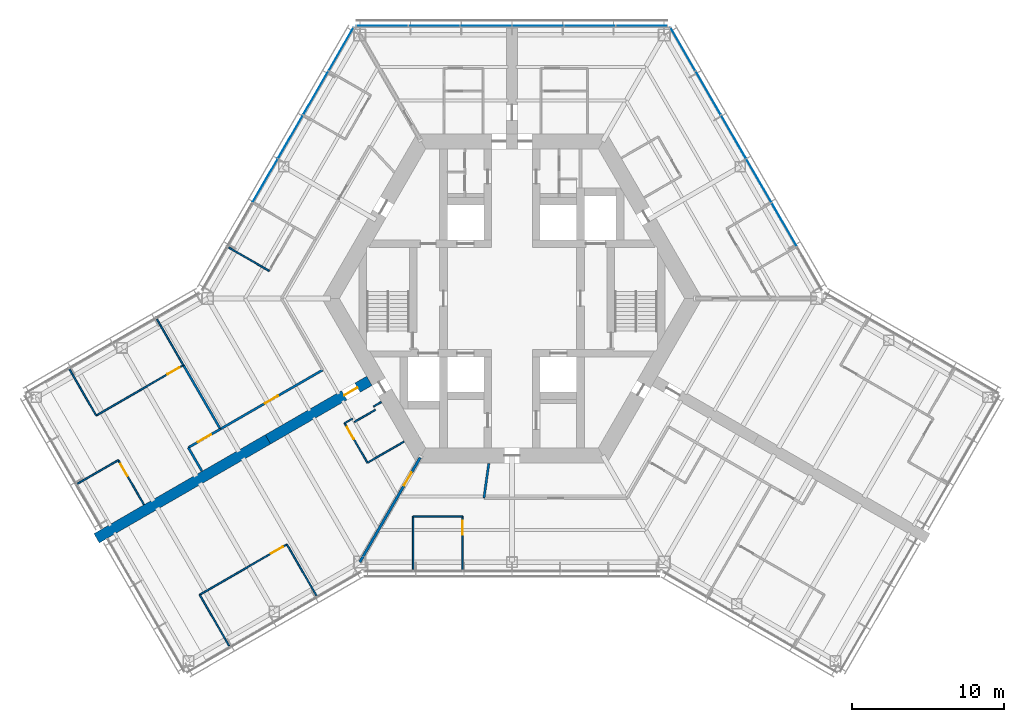
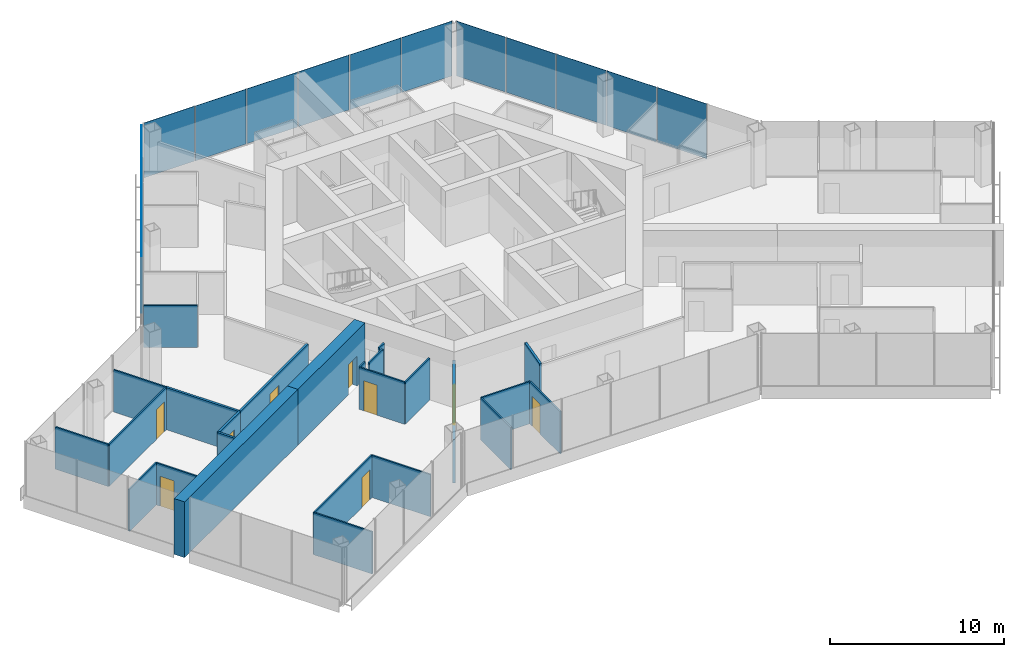
# One storey, part 11 of 18: 25 walls, 15 plates, 9 doors, 9 openings, 3 elements without a shape of their own.
"""IFC4 building model written with IfcOpenShell, lengths in metres."""

from ifc_helpers import new_model, si_unit, direction, frame, frame_2d, origin, origin_2d, place, context, subcontext, project, spatial, rectangle, extrude, material, layer, layer_set, type_object, element, fill, aggregate, save


model = new_model("IFC4")

# Units and contexts
model_context = context("Model", 3, precision=1e-05, world=origin(), true_north=direction((0.0, 1.0)))
body_context = subcontext(model_context, "Body", "Model", "MODEL_VIEW")
ifc_project = project(units=[si_unit("LENGTHUNIT", "METRE"), si_unit("AREAUNIT", "SQUARE_METRE"), si_unit("VOLUMEUNIT", "CUBIC_METRE"), si_unit("PLANEANGLEUNIT", "RADIAN"), si_unit("MASSUNIT", "GRAM", prefix="KILO")], contexts=[model_context])

# Site, building, storey
site_placement = place(None, origin())
site = spatial("IfcSite", under=ifc_project, at=site_placement, CompositionType="ELEMENT")
building_placement = place(site_placement, origin())
building = spatial("IfcBuilding", under=site, at=building_placement, Name="Kasaneha Research Tower", CompositionType="ELEMENT")
storey_placement = place(building_placement, frame((0.0, 0.0, 137.0)))
storey = spatial("IfcBuildingStorey", under=building, at=storey_placement, Name="L34", CompositionType="ELEMENT", Elevation=137.0)

# Curtain wall, plates
ifc_material_1 = material(Name="Glass and aluminium", Category="aluminium")
curtain_wall_type = type_object("IfcCurtainWallType", Name="Mid-rise office curtain wall", PredefinedType="USERDEFINED", material=ifc_material_1)
curtain_wall_1_placement = place(storey_placement, origin())
curtain_wall_1 = element("IfcCurtainWall", 1, at=curtain_wall_1_placement, inside=storey, type_object=curtain_wall_type, Name="CW-O2 L34 run 06a", ObjectType="UNITISED CURTAIN WALL", PredefinedType="USERDEFINED")
ifc_material_2 = material(Name="Laminated double glazing", Category="glass")
ifc_layer_1 = layer(ifc_material_2, 0.02587890625)
ifc_layer_set_1 = layer_set([ifc_layer_1], Name="CW-O2 glazed panel")
plate_type = type_object("IfcPlateType", Name="CW-O2 glazed panel", PredefinedType="CURTAIN_PANEL", material=ifc_layer_set_1)
plate_1_placement = place(storey_placement, frame((17.89111328125, 4.852783203125, 0.06005859375), z_axis=(0.0, 0.0, 1.0), x_axis=(-0.499999979232, 0.866025415775, 0.0)))
plate_1 = element("IfcPlate", 2, at=plate_1_placement, type_object=plate_type, Name="CW-O2 panel 2", PredefinedType="CURTAIN_PANEL", context=body_context, shape_type="SweptSolid", body=[
    extrude(rectangle(XDim=3.27099609375, YDim=0.02587890625, at=origin_2d()), origin(), (0.0, 0.0, 1.0), 3.840087890625),
])
plate_2_placement = place(storey_placement, frame((16.2255859375, 7.737548828125, 0.06005859375), z_axis=(0.0, 0.0, 1.0), x_axis=(-0.499999979232, 0.866025415775, 0.0)))
plate_2 = element("IfcPlate", 3, at=plate_2_placement, type_object=plate_type, Name="CW-O2 panel 3", PredefinedType="CURTAIN_PANEL", context=body_context, shape_type="SweptSolid", body=[
    extrude(rectangle(XDim=3.27099609375, YDim=0.02587890625, at=origin_2d()), origin(), (0.0, 0.0, 1.0), 3.840087890625),
])
plate_3_placement = place(storey_placement, frame((14.56005859375, 10.622314453125, 0.06005859375), z_axis=(0.0, 0.0, 1.0), x_axis=(-0.499999979232, 0.866025415775, 0.0)))
plate_3 = element("IfcPlate", 4, at=plate_3_placement, type_object=plate_type, Name="CW-O2 panel 4", PredefinedType="CURTAIN_PANEL", context=body_context, shape_type="SweptSolid", body=[
    extrude(rectangle(XDim=3.27099609375, YDim=0.02587890625, at=origin_2d()), origin(), (0.0, 0.0, 1.0), 3.840087890625),
])
plate_4_placement = place(storey_placement, frame((12.89453125, 13.5068359375, 0.06005859375), z_axis=(0.0, 0.0, 1.0), x_axis=(-0.499999979232, 0.866025415775, 0.0)))
plate_4 = element("IfcPlate", 5, at=plate_4_placement, type_object=plate_type, Name="CW-O2 panel 5", PredefinedType="CURTAIN_PANEL", context=body_context, shape_type="SweptSolid", body=[
    extrude(rectangle(XDim=3.27099609375, YDim=0.02587890625, at=origin_2d()), origin(), (0.0, 0.0, 1.0), 3.840087890625),
])
plate_5_placement = place(storey_placement, frame((11.236572265625, 16.378662109375, 0.06005859375), z_axis=(0.0, 0.0, 1.0), x_axis=(-0.499999979232, 0.866025415775, 0.0)))
plate_5 = element("IfcPlate", 6, at=plate_5_placement, type_object=plate_type, Name="CW-O2 panel 6", PredefinedType="CURTAIN_PANEL", context=body_context, shape_type="SweptSolid", body=[
    extrude(rectangle(XDim=3.240966796875, YDim=0.02587890625, at=origin_2d()), origin(), (0.0, 0.0, 1.0), 3.840087890625),
])
aggregate(curtain_wall_1, [plate_1, plate_2, plate_3, plate_4, plate_5])

curtain_wall_2_placement = place(storey_placement, origin())
curtain_wall_2 = element("IfcCurtainWall", 7, at=curtain_wall_2_placement, inside=storey, type_object=curtain_wall_type, Name="CW-O2 L34 run 07a", ObjectType="UNITISED CURTAIN WALL", PredefinedType="USERDEFINED")
plate_6_placement = place(storey_placement, frame((8.523681640625, 17.92041015625, 0.06005859375), z_axis=(0.0, 0.0, 1.0), x_axis=(-1.0, 0.0, 0.0)))
plate_6 = element("IfcPlate", 8, at=plate_6_placement, type_object=plate_type, Name="CW-O2 panel 1", PredefinedType="CURTAIN_PANEL", context=body_context, shape_type="SweptSolid", body=[
    extrude(rectangle(XDim=3.325439453125, YDim=0.02587890625, at=origin_2d()), origin(), (0.0, 0.0, 1.0), 3.840087890625),
])
plate_7_placement = place(storey_placement, frame((5.123291015625, 17.92041015625, 0.06005859375), z_axis=(0.0, 0.0, 1.0), x_axis=(-1.0, 0.0, 0.0)))
plate_7 = element("IfcPlate", 9, at=plate_7_placement, type_object=plate_type, Name="CW-O2 panel 2", PredefinedType="CURTAIN_PANEL", context=body_context, shape_type="SweptSolid", body=[
    extrude(rectangle(XDim=3.35546875, YDim=0.02587890625, at=origin_2d()), origin(), (0.0, 0.0, 1.0), 3.840087890625),
])
plate_8_placement = place(storey_placement, frame((1.707763671875, 17.92041015625, 0.06005859375), z_axis=(0.0, 0.0, 1.0), x_axis=(-1.0, 0.0, 0.0)))
plate_8 = element("IfcPlate", 10, at=plate_8_placement, type_object=plate_type, Name="CW-O2 panel 3", PredefinedType="CURTAIN_PANEL", context=body_context, shape_type="SweptSolid", body=[
    extrude(rectangle(XDim=3.35546875, YDim=0.02587890625, at=origin_2d()), origin(), (0.0, 0.0, 1.0), 3.840087890625),
])
plate_9_placement = place(storey_placement, frame((-1.707763671875, 17.92041015625, 0.06005859375), z_axis=(0.0, 0.0, 1.0), x_axis=(-1.0, 0.0, 0.0)))
plate_9 = element("IfcPlate", 11, at=plate_9_placement, type_object=plate_type, Name="CW-O2 panel 4", PredefinedType="CURTAIN_PANEL", context=body_context, shape_type="SweptSolid", body=[
    extrude(rectangle(XDim=3.35546875, YDim=0.02587890625, at=origin_2d()), origin(), (0.0, 0.0, 1.0), 3.840087890625),
])
plate_10_placement = place(storey_placement, frame((-5.123291015625, 17.92041015625, 0.06005859375), z_axis=(0.0, 0.0, 1.0), x_axis=(-1.0, 0.0, 0.0)))
plate_10 = element("IfcPlate", 12, at=plate_10_placement, type_object=plate_type, Name="CW-O2 panel 5", PredefinedType="CURTAIN_PANEL", context=body_context, shape_type="SweptSolid", body=[
    extrude(rectangle(XDim=3.35546875, YDim=0.02587890625, at=origin_2d()), origin(), (0.0, 0.0, 1.0), 3.840087890625),
])
plate_11_placement = place(storey_placement, frame((-8.523681640625, 17.92041015625, 0.06005859375), z_axis=(0.0, 0.0, 1.0), x_axis=(-1.0, 0.0, 0.0)))
plate_11 = element("IfcPlate", 13, at=plate_11_placement, type_object=plate_type, Name="CW-O2 panel 6", PredefinedType="CURTAIN_PANEL", context=body_context, shape_type="SweptSolid", body=[
    extrude(rectangle(XDim=3.325439453125, YDim=0.02587890625, at=origin_2d()), origin(), (0.0, 0.0, 1.0), 3.840087890625),
])
aggregate(curtain_wall_2, [plate_6, plate_7, plate_8, plate_9, plate_10, plate_11])

curtain_wall_3_placement = place(storey_placement, origin())
curtain_wall_3 = element("IfcCurtainWall", 14, at=curtain_wall_3_placement, inside=storey, type_object=curtain_wall_type, Name="CW-O2 L34 run 08a", ObjectType="UNITISED CURTAIN WALL", PredefinedType="USERDEFINED")
plate_12_placement = place(storey_placement, frame((-11.236572265625, 16.378662109375, 0.06005859375), z_axis=(0.0, 0.0, 1.0), x_axis=(-0.499999979232, -0.866025415775, 0.0)))
plate_12 = element("IfcPlate", 15, at=plate_12_placement, type_object=plate_type, Name="CW-O2 panel 1", PredefinedType="CURTAIN_PANEL", context=body_context, shape_type="SweptSolid", body=[
    extrude(rectangle(XDim=3.240966796875, YDim=0.02587890625, at=origin_2d()), origin(), (0.0, 0.0, 1.0), 3.840087890625),
])
plate_13_placement = place(storey_placement, frame((-12.89453125, 13.5068359375, 0.06005859375), z_axis=(0.0, 0.0, 1.0), x_axis=(-0.499999979232, -0.866025415775, 0.0)))
plate_13 = element("IfcPlate", 16, at=plate_13_placement, type_object=plate_type, Name="CW-O2 panel 2", PredefinedType="CURTAIN_PANEL", context=body_context, shape_type="SweptSolid", body=[
    extrude(rectangle(XDim=3.27099609375, YDim=0.02587890625, at=origin_2d()), origin(), (0.0, 0.0, 1.0), 3.840087890625),
])
plate_14_placement = place(storey_placement, frame((-14.56005859375, 10.622314453125, 0.06005859375), z_axis=(0.0, 0.0, 1.0), x_axis=(-0.499999979232, -0.866025415775, 0.0)))
plate_14 = element("IfcPlate", 17, at=plate_14_placement, type_object=plate_type, Name="CW-O2 panel 3", PredefinedType="CURTAIN_PANEL", context=body_context, shape_type="SweptSolid", body=[
    extrude(rectangle(XDim=3.27099609375, YDim=0.02587890625, at=origin_2d()), origin(), (0.0, 0.0, 1.0), 3.840087890625),
])
plate_15_placement = place(storey_placement, frame((-16.2255859375, 7.737548828125, 0.06005859375), z_axis=(0.0, 0.0, 1.0), x_axis=(-0.499999979232, -0.866025415775, 0.0)))
plate_15 = element("IfcPlate", 18, at=plate_15_placement, type_object=plate_type, Name="CW-O2 panel 4", PredefinedType="CURTAIN_PANEL", context=body_context, shape_type="SweptSolid", body=[
    extrude(rectangle(XDim=3.27099609375, YDim=0.02587890625, at=origin_2d()), origin(), (0.0, 0.0, 1.0), 3.840087890625),
])
aggregate(curtain_wall_3, [plate_12, plate_13, plate_14, plate_15])

# Walls
ifc_material_3 = material(Name="Gypsum board on steel studs, one layer each side", Category="steel")
ifc_layer_2 = layer(ifc_material_3, 0.10009765625)
ifc_layer_set_2 = layer_set([ifc_layer_2], Name="Office partition 100")
wall_type_1 = type_object("IfcWallType", Name="Office partition 100", PredefinedType="PARTITIONING", material=ifc_layer_set_2)
wall_1_placement = place(storey_placement, frame((-23.332275390625, -1.36962890625, 0.0), z_axis=(0.0, 0.0, 1.0), x_axis=(0.498863855434, -0.86668036423, 0.0)))
element("IfcWall", 19, at=wall_1_placement, inside=storey, type_object=wall_type_1, Name="Office partition FBN08 L34", PredefinedType="PARTITIONING", context=body_context, shape_type="SweptSolid", body=[
    extrude(rectangle(XDim=3.47998046875, YDim=0.10009765625, at=frame_2d((1.739990234375, 0.0))), origin(), (0.0, 0.0, 1.0), 2.949951171875),
])
wall_2_placement = place(storey_placement, frame((-27.324951171875, -7.693115234375, 0.0), z_axis=(0.0, 0.0, 1.0), x_axis=(-0.499989765943, 0.866031312339, 0.0)))
element("IfcWall", 20, at=wall_2_placement, inside=storey, type_object=wall_type_1, Name="Office partition FBN09 L34", PredefinedType="PARTITIONING", context=body_context, shape_type="SweptSolid", body=[
    extrude(rectangle(XDim=3.5048828125, YDim=0.10009765625, at=frame_2d((1.75244140625, 0.0))), origin(), (0.0, 0.0, 1.0), 2.949951171875),
])

# Wall, opening, door
wall_3_placement = place(storey_placement, frame((-21.594482421875, -4.37939453125, 0.0), z_axis=(0.0, 0.0, 1.0), x_axis=(-0.865682888643, -0.500592784916, 0.0)))
wall_3 = element("IfcWall", 21, at=wall_3_placement, inside=storey, type_object=wall_type_1, Name="Office partition FBN10 L34", PredefinedType="PARTITIONING", context=body_context, shape_type="SweptSolid", body=[
    extrude(rectangle(XDim=6.61962890625, YDim=0.10009765625, at=frame_2d((3.309814453125, 0.0))), origin(), (0.0, 0.0, 1.0), 2.949951171875),
])
opening_1_placement = place(wall_3_placement, frame((0.300048828125, 0.0, 0.0)))
opening_1 = element("IfcOpeningElement", 22, at=opening_1_placement, cuts=wall_3, Name="Opening L34-D37", PredefinedType="OPENING", context=body_context, shape_type="SweptSolid", body=[
    extrude(rectangle(XDim=0.89990234375, YDim=2.10009765625, at=frame_2d((0.449951171875, 1.050048828125))), frame((0.0, 0.06005859375, 0.0), z_axis=(0.0, -1.0, 0.0), x_axis=(1.0, 0.0, 0.0)), (0.0, 0.0, 1.0), 0.1201171875),
])
ifc_material_4 = material(Name="Timber veneer", Category="wood")
door_type_1 = type_object("IfcDoorType", Name="Office door 900x2100", OperationType="SINGLE_SWING_LEFT", PredefinedType="DOOR", material=ifc_material_4)
door_1_placement = place(opening_1_placement, origin())
door_1 = element("IfcDoor", 23, at=door_1_placement, inside=storey, type_object=door_type_1, Name="Project room door L34-D37", OperationType="SINGLE_SWING_LEFT", OverallHeight=2.10009765625, OverallWidth=0.89990234375, PredefinedType="DOOR", context=body_context, shape_type="SweptSolid", body=[
    extrude(rectangle(XDim=0.89990234375, YDim=2.10009765625, at=frame_2d((0.449951171875, 1.050048828125))), frame((0.0, 0.02490234375, 0.0), z_axis=(0.0, -1.0, 0.0), x_axis=(1.0, 0.0, 0.0)), (0.0, 0.0, 1.0), 0.050048828125),
])
fill(opening_1, door_1)

# Walls
wall_4_placement = place(storey_placement, frame((-15.952392578125, 1.810546875, 0.0), z_axis=(0.0, 0.0, 1.0), x_axis=(-0.866029832698, 0.499992328818, 0.0)))
element("IfcWall", 24, at=wall_4_placement, inside=storey, type_object=wall_type_1, Name="Office partition FBN14 L34", PredefinedType="PARTITIONING", context=body_context, shape_type="SweptSolid", body=[
    extrude(rectangle(XDim=3.080078125, YDim=0.10009765625, at=frame_2d((1.5400390625, 0.0))), origin(), (0.0, 0.0, 1.0), 2.949951171875),
])
wall_5_placement = place(storey_placement, frame((-28.5625, -12.1796875, 0.0), z_axis=(0.0, 0.0, 1.0), x_axis=(0.866042875753, 0.499969736442, 0.0)))
element("IfcWall", 25, at=wall_5_placement, inside=storey, type_object=wall_type_1, Name="Office partition FBN17 L34", PredefinedType="PARTITIONING", context=body_context, shape_type="SweptSolid", body=[
    extrude(rectangle(XDim=3.105224609375, YDim=0.10009765625, at=frame_2d((1.552734375, 0.0))), origin(), (0.0, 0.0, 1.0), 2.949951171875),
])

# Wall, opening, door
wall_6_placement = place(storey_placement, frame((-25.873291015625, -10.627197265625, 0.0), z_axis=(0.0, 0.0, 1.0), x_axis=(0.5000115033, -0.866018762249, 0.0)))
wall_6 = element("IfcWall", 26, at=wall_6_placement, inside=storey, type_object=wall_type_1, Name="Office partition FBN18 L34", PredefinedType="PARTITIONING", context=body_context, shape_type="SweptSolid", body=[
    extrude(rectangle(XDim=3.36328125, YDim=0.10009765625, at=frame_2d((1.681640625, 0.0))), origin(), (0.0, 0.0, 1.0), 2.949951171875),
])
opening_2_placement = place(wall_6_placement, frame((0.300048828125, 0.0, 0.0)))
opening_2 = element("IfcOpeningElement", 27, at=opening_2_placement, cuts=wall_6, Name="Opening L34-D40", PredefinedType="OPENING", context=body_context, shape_type="SweptSolid", body=[
    extrude(rectangle(XDim=0.89990234375, YDim=2.10009765625, at=frame_2d((0.449951171875, 1.050048828125))), frame((0.0, 0.06005859375, 0.0), z_axis=(0.0, -1.0, 0.0), x_axis=(1.0, 0.0, 0.0)), (0.0, 0.0, 1.0), 0.1201171875),
])
door_2_placement = place(opening_2_placement, origin())
door_2 = element("IfcDoor", 28, at=door_2_placement, inside=storey, type_object=door_type_1, Name="Phone room door L34-D40", OperationType="SINGLE_SWING_LEFT", OverallHeight=2.10009765625, OverallWidth=0.89990234375, PredefinedType="DOOR", context=body_context, shape_type="SweptSolid", body=[
    extrude(rectangle(XDim=0.89990234375, YDim=2.10009765625, at=frame_2d((0.449951171875, 1.050048828125))), frame((0.0, 0.02490234375, 0.0), z_axis=(0.0, -1.0, 0.0), x_axis=(1.0, 0.0, 0.0)), (0.0, 0.0, 1.0), 0.050048828125),
])
fill(opening_2, door_2)

wall_7_placement = place(storey_placement, frame((-20.52490234375, -19.47119140625, 0.0), z_axis=(0.0, 0.0, 1.0), x_axis=(0.866021597574, 0.500006592492, 0.0)))
wall_7 = element("IfcWall", 29, at=wall_7_placement, inside=storey, type_object=wall_type_1, Name="Office partition FBS01 L34", PredefinedType="PARTITIONING", context=body_context, shape_type="SweptSolid", body=[
    extrude(rectangle(XDim=6.61962890625, YDim=0.10009765625, at=frame_2d((3.309814453125, 0.0))), origin(), (0.0, 0.0, 1.0), 2.949951171875),
])
opening_3_placement = place(wall_7_placement, frame((5.419677734375, 0.0, 0.0)))
opening_3 = element("IfcOpeningElement", 30, at=opening_3_placement, cuts=wall_7, Name="Opening L34-D41", PredefinedType="OPENING", context=body_context, shape_type="SweptSolid", body=[
    extrude(rectangle(XDim=0.89990234375, YDim=2.10009765625, at=frame_2d((0.449951171875, 1.050048828125))), frame((0.0, 0.06005859375, 0.0), z_axis=(0.0, -1.0, 0.0), x_axis=(1.0, 0.0, 0.0)), (0.0, 0.0, 1.0), 0.1201171875),
])
door_3_placement = place(opening_3_placement, origin())
door_3 = element("IfcDoor", 31, at=door_3_placement, inside=storey, type_object=door_type_1, Name="Project room door L34-D41", OperationType="SINGLE_SWING_RIGHT", OverallHeight=2.10009765625, OverallWidth=0.89990234375, PredefinedType="DOOR", context=body_context, shape_type="SweptSolid", body=[
    extrude(rectangle(XDim=0.89990234375, YDim=2.10009765625, at=frame_2d((0.449951171875, 1.050048828125))), frame((0.0, 0.02490234375, 0.0), z_axis=(0.0, -1.0, 0.0), x_axis=(1.0, 0.0, 0.0)), (0.0, 0.0, 1.0), 0.050048828125),
])
fill(opening_3, door_3)

# Walls
wall_8_placement = place(storey_placement, frame((-18.5849609375, -22.831298828125, 0.0), z_axis=(0.0, 0.0, 1.0), x_axis=(-0.499996613652, 0.866027358884, 0.0)))
element("IfcWall", 32, at=wall_8_placement, inside=storey, type_object=wall_type_1, Name="Office partition FBS02 L34", PredefinedType="PARTITIONING", context=body_context, shape_type="SweptSolid", body=[
    extrude(rectangle(XDim=3.8798828125, YDim=0.10009765625, at=frame_2d((1.93994140625, 0.0))), origin(), (0.0, 0.0, 1.0), 2.949951171875),
])
wall_9_placement = place(storey_placement, frame((-14.792236328125, -16.161376953125, 0.0), z_axis=(0.0, 0.0, 1.0), x_axis=(0.500025510799, -0.866010674617, 0.0)))
element("IfcWall", 33, at=wall_9_placement, inside=storey, type_object=wall_type_1, Name="Office partition FBS03 L34", PredefinedType="PARTITIONING", context=body_context, shape_type="SweptSolid", body=[
    extrude(rectangle(XDim=3.905029296875, YDim=0.10009765625, at=frame_2d((1.95263671875, 0.0))), origin(), (0.0, 0.0, 1.0), 2.949951171875),
])
wall_10_placement = place(storey_placement, frame((-10.99951171875, -8.197998046875, 0.0), z_axis=(0.0, 0.0, 1.0), x_axis=(0.866131372301, 0.499816412211, 0.0)))
element("IfcWall", 34, at=wall_10_placement, inside=storey, type_object=wall_type_1, Name="Office partition FBS04 L34", PredefinedType="PARTITIONING", context=body_context, shape_type="SweptSolid", body=[
    extrude(rectangle(XDim=0.599853515625, YDim=0.10009765625, at=frame_2d((0.2998046875, 0.0))), origin(), (0.0, 0.0, 1.0), 2.949951171875),
])
wall_11_placement = place(storey_placement, frame((-10.35498046875, -8.114501953125, 0.0), z_axis=(0.0, 0.0, 1.0), x_axis=(0.866094119867, 0.499880961361, 0.0)))
element("IfcWall", 35, at=wall_11_placement, inside=storey, type_object=wall_type_1, Name="Office partition FBS05 L34", PredefinedType="PARTITIONING", context=body_context, shape_type="SweptSolid", body=[
    extrude(rectangle(XDim=1.60009765625, YDim=0.10009765625, at=frame_2d((0.800048828125, 0.0))), origin(), (0.0, 0.0, 1.0), 2.949951171875),
])

# Wall, opening, door
wall_12_placement = place(storey_placement, frame((-9.49951171875, -10.796142578125, 0.0), z_axis=(0.0, 0.0, 1.0), x_axis=(-0.499990139034, 0.866031096941, 0.0)))
wall_12 = element("IfcWall", 36, at=wall_12_placement, inside=storey, type_object=wall_type_1, Name="Office partition FBS06 L34", PredefinedType="PARTITIONING", context=body_context, shape_type="SweptSolid", body=[
    extrude(rectangle(XDim=3.0, YDim=0.10009765625, at=frame_2d((1.5, 0.0))), origin(), (0.0, 0.0, 1.0), 2.949951171875),
])
opening_4_placement = place(wall_12_placement, frame((1.800048828125, 0.0, 0.0)))
opening_4 = element("IfcOpeningElement", 37, at=opening_4_placement, cuts=wall_12, Name="Opening L34-D42", PredefinedType="OPENING", context=body_context, shape_type="SweptSolid", body=[
    extrude(rectangle(XDim=0.89990234375, YDim=2.10009765625, at=frame_2d((0.449951171875, 1.050048828125))), frame((0.0, 0.06005859375, 0.0), z_axis=(0.0, -1.0, 0.0), x_axis=(1.0, 0.0, 0.0)), (0.0, 0.0, 1.0), 0.1201171875),
])
door_4_placement = place(opening_4_placement, origin())
door_4 = element("IfcDoor", 38, at=door_4_placement, inside=storey, type_object=door_type_1, Name="Pantry door L34-D42", OperationType="SINGLE_SWING_RIGHT", OverallHeight=2.10009765625, OverallWidth=0.89990234375, PredefinedType="DOOR", context=body_context, shape_type="SweptSolid", body=[
    extrude(rectangle(XDim=0.89990234375, YDim=2.10009765625, at=frame_2d((0.449951171875, 1.050048828125))), frame((0.0, 0.02490234375, 0.0), z_axis=(0.0, -1.0, 0.0), x_axis=(1.0, 0.0, 0.0)), (0.0, 0.0, 1.0), 0.050048828125),
])
fill(opening_4, door_4)

# Walls
wall_13_placement = place(storey_placement, frame((-9.09423828125, -7.09814453125, 0.0), z_axis=(0.0, 0.0, 1.0), x_axis=(0.865954211699, 0.50012328804, 0.0)))
element("IfcWall", 39, at=wall_13_placement, inside=storey, type_object=wall_type_1, Name="Office partition FBS07 L34", PredefinedType="PARTITIONING", context=body_context, shape_type="SweptSolid", body=[
    extrude(rectangle(XDim=0.579833984375, YDim=0.10009765625, at=frame_2d((0.2900390625, 0.0))), origin(), (0.0, 0.0, 1.0), 2.949951171875),
])
wall_14_placement = place(storey_placement, frame((-7.092041015625, -9.40625, 0.0), z_axis=(0.0, 0.0, 1.0), x_axis=(-0.86603494908, -0.499983466698, 0.0)))
element("IfcWall", 40, at=wall_14_placement, inside=storey, type_object=wall_type_1, Name="Office partition FBS08 L34", PredefinedType="PARTITIONING", context=body_context, shape_type="SweptSolid", body=[
    extrude(rectangle(XDim=2.77978515625, YDim=0.10009765625, at=frame_2d((1.389892578125, 0.0))), origin(), (0.0, 0.0, 1.0), 2.949951171875),
])
wall_15_placement = place(storey_placement, frame((-6.492919921875, -17.800537109375, 0.0), z_axis=(0.0, 0.0, 1.0), x_axis=(0.0, 1.0, 0.0)))
element("IfcWall", 41, at=wall_15_placement, inside=storey, type_object=wall_type_1, Name="Office partition FCS11 L34", PredefinedType="PARTITIONING", context=body_context, shape_type="SweptSolid", body=[
    extrude(rectangle(XDim=3.47998046875, YDim=0.10009765625, at=frame_2d((1.739990234375, 0.0))), origin(), (0.0, 0.0, 1.0), 2.949951171875),
])
wall_16_placement = place(storey_placement, frame((-6.492919921875, -14.320556640625, 0.0), z_axis=(0.0, 0.0, 1.0), x_axis=(1.0, 0.0, 0.0)))
element("IfcWall", 42, at=wall_16_placement, inside=storey, type_object=wall_type_1, Name="Office partition FCS12 L34", PredefinedType="PARTITIONING", context=body_context, shape_type="SweptSolid", body=[
    extrude(rectangle(XDim=3.24658203125, YDim=0.10009765625, at=frame_2d((1.623291015625, 0.0))), origin(), (0.0, 0.0, 1.0), 2.949951171875),
])

# Wall, opening, door
wall_17_placement = place(storey_placement, frame((-3.246337890625, -14.320556640625, 0.0), z_axis=(0.0, 0.0, 1.0), x_axis=(0.0, -1.0, 0.0)))
wall_17 = element("IfcWall", 43, at=wall_17_placement, inside=storey, type_object=wall_type_1, Name="Office partition FCS13 L34", PredefinedType="PARTITIONING", context=body_context, shape_type="SweptSolid", body=[
    extrude(rectangle(XDim=3.530029296875, YDim=0.10009765625, at=frame_2d((1.76513671875, 0.0))), origin(), (0.0, 0.0, 1.0), 2.949951171875),
])
opening_5_placement = place(wall_17_placement, frame((0.300048828125, 0.0, 0.0)))
opening_5 = element("IfcOpeningElement", 44, at=opening_5_placement, cuts=wall_17, Name="Opening L34-D48", PredefinedType="OPENING", context=body_context, shape_type="SweptSolid", body=[
    extrude(rectangle(XDim=0.89990234375, YDim=2.10009765625, at=frame_2d((0.449951171875, 1.050048828125))), frame((0.0, 0.06005859375, 0.0), z_axis=(0.0, -1.0, 0.0), x_axis=(1.0, 0.0, 0.0)), (0.0, 0.0, 1.0), 0.1201171875),
])
door_5_placement = place(opening_5_placement, origin())
door_5 = element("IfcDoor", 45, at=door_5_placement, inside=storey, type_object=door_type_1, Name="Manager's office door L34-D48", OperationType="SINGLE_SWING_LEFT", OverallHeight=2.10009765625, OverallWidth=0.89990234375, PredefinedType="DOOR", context=body_context, shape_type="SweptSolid", body=[
    extrude(rectangle(XDim=0.89990234375, YDim=2.10009765625, at=frame_2d((0.449951171875, 1.050048828125))), frame((0.0, 0.02490234375, 0.0), z_axis=(0.0, -1.0, 0.0), x_axis=(1.0, 0.0, 0.0)), (0.0, 0.0, 1.0), 0.050048828125),
])
fill(opening_5, door_5)

ifc_material_5 = material(Name="Concrete Fc70", Category="concrete")
ifc_layer_3 = layer(ifc_material_5, 0.699951171875)
ifc_layer_set_3 = layer_set([ifc_layer_3], Name="Spine wall 700 Fc70")
wall_type_2 = type_object("IfcWallType", Name="Spine wall 700 Fc70", PredefinedType="SHEAR", material=ifc_layer_set_3)
wall_18_placement = place(storey_placement, frame((-9.374755859375, -5.41259765625, 0.0), z_axis=(0.0, 0.0, 1.0), x_axis=(-0.866032377459, -0.499987921047, 0.0)))
wall_18 = element("IfcWall", 46, at=wall_18_placement, inside=storey, type_object=wall_type_2, Name="Spine wall B L34", PredefinedType="SHEAR", context=body_context, shape_type="SweptSolid", body=[
    extrude(rectangle(XDim=7.695556640625, YDim=0.699951171875, at=frame_2d((3.84765625, 0.0))), origin(), (0.0, 0.0, 1.0), 3.89990234375),
])
opening_6_placement = place(wall_18_placement, frame((0.89990234375, 0.0, 0.0)))
opening_6 = element("IfcOpeningElement", 47, at=opening_6_placement, cuts=wall_18, Name="Opening L34-D18", PredefinedType="OPENING", context=body_context, shape_type="SweptSolid", body=[
    extrude(rectangle(XDim=1.0, YDim=2.10009765625, at=frame_2d((0.5, 1.050048828125))), frame((0.0, 0.35986328125, 0.0), z_axis=(0.0, -1.0, 0.0), x_axis=(1.0, 0.0, 0.0)), (0.0, 0.0, 1.0), 0.719970703125),
])
ifc_material_6 = material(Name="Steel", Category="steel")
door_type_2 = type_object("IfcDoorType", Name="Specified fire door FD60 1000x2100", OperationType="NOTDEFINED", PredefinedType="DOOR", material=ifc_material_6)
door_6_placement = place(opening_6_placement, origin())
door_6 = element("IfcDoor", 48, at=door_6_placement, inside=storey, type_object=door_type_2, Name="Spine doorway B L34-D18", OperationType="SINGLE_SWING_LEFT", OverallHeight=2.10009765625, OverallWidth=1.0, PredefinedType="DOOR", context=body_context, shape_type="SweptSolid", body=[
    extrude(rectangle(XDim=1.0, YDim=2.10009765625, at=frame_2d((0.5, 1.050048828125))), frame((0.0, 0.02490234375, 0.0), z_axis=(0.0, -1.0, 0.0), x_axis=(1.0, 0.0, 0.0)), (0.0, 0.0, 1.0), 0.050048828125),
])
fill(opening_6, door_6)

# Wall
wall_19_placement = place(storey_placement, frame((-16.039306640625, -9.26025390625, 0.0), z_axis=(0.0, 0.0, 1.0), x_axis=(-0.866024837091, -0.50000098154, 0.0)))
element("IfcWall", 49, at=wall_19_placement, inside=storey, type_object=wall_type_2, Name="Spine wall B wing L34", PredefinedType="SHEAR", context=body_context, shape_type="SweptSolid", body=[
    extrude(rectangle(XDim=13.0, YDim=0.699951171875, at=frame_2d((6.5, 0.0))), origin(), (0.0, 0.0, 1.0), 3.89990234375),
])

# Wall, opening, door
ifc_material_7 = material(Name="Gypsum board on steel studs, two layers each side", Category="steel")
ifc_layer_4 = layer(ifc_material_7, 0.14990234375)
ifc_layer_set_4 = layer_set([ifc_layer_4], Name="Suite partition 150")
wall_type_3 = type_object("IfcWallType", Name="Suite partition 150", PredefinedType="PARTITIONING", material=ifc_layer_set_4)
wall_20_placement = place(storey_placement, frame((-19.17138671875, -8.586181640625, 0.0), z_axis=(0.0, 0.0, 1.0), x_axis=(0.866007176269, 0.500031569654, 0.0)))
wall_20 = element("IfcWall", 50, at=wall_20_placement, inside=storey, type_object=wall_type_3, Name="Suite partition FBN01 L34", PredefinedType="PARTITIONING", context=body_context, shape_type="SweptSolid", body=[
    extrude(rectangle(XDim=7.77099609375, YDim=0.14990234375, at=frame_2d((3.885498046875, 0.0))), origin(), (0.0, 0.0, 1.0), 2.949951171875),
])
opening_7_placement = place(wall_20_placement, frame((3.385498046875, 0.0, 0.0)))
opening_7 = element("IfcOpeningElement", 51, at=opening_7_placement, cuts=wall_20, Name="Opening L34-D34", PredefinedType="OPENING", context=body_context, shape_type="SweptSolid", body=[
    extrude(rectangle(XDim=1.0, YDim=2.10009765625, at=frame_2d((0.5, 1.050048828125))), frame((0.0, 0.0849609375, 0.0), z_axis=(0.0, -1.0, 0.0), x_axis=(1.0, 0.0, 0.0)), (0.0, 0.0, 1.0), 0.169921875),
])
ifc_material_8 = material(Name="Steel", Category="steel")
door_type_3 = type_object("IfcDoorType", Name="Suite entrance door FD60 1000x2100", OperationType="NOTDEFINED", PredefinedType="DOOR", material=ifc_material_8)
door_7_placement = place(opening_7_placement, origin())
door_7 = element("IfcDoor", 52, at=door_7_placement, inside=storey, type_object=door_type_3, Name="Suite entrance door L34-D34", OperationType="SINGLE_SWING_LEFT", OverallHeight=2.10009765625, OverallWidth=1.0, PredefinedType="DOOR", context=body_context, shape_type="SweptSolid", body=[
    extrude(rectangle(XDim=1.0, YDim=2.10009765625, at=frame_2d((0.5, 1.050048828125))), frame((0.0, 0.02490234375, 0.0), z_axis=(0.0, -1.0, 0.0), x_axis=(1.0, 0.0, 0.0)), (0.0, 0.0, 1.0), 0.050048828125),
])
fill(opening_7, door_7)

wall_21_placement = place(storey_placement, frame((-21.271240234375, -9.79833984375, 0.0), z_axis=(0.0, 0.0, 1.0), x_axis=(0.866025270247, 0.500000231294, 0.0)))
wall_21 = element("IfcWall", 53, at=wall_21_placement, inside=storey, type_object=wall_type_3, Name="Suite partition FBN04 L34", PredefinedType="PARTITIONING", context=body_context, shape_type="SweptSolid", body=[
    extrude(rectangle(XDim=2.4345703125, YDim=0.14990234375, at=frame_2d((1.21728515625, 0.0))), origin(), (0.0, 0.0, 1.0), 2.949951171875),
])
opening_8_placement = place(wall_21_placement, frame((0.71728515625, 0.0, 0.0)))
opening_8 = element("IfcOpeningElement", 54, at=opening_8_placement, cuts=wall_21, Name="Opening L34-D35", PredefinedType="OPENING", context=body_context, shape_type="SweptSolid", body=[
    extrude(rectangle(XDim=1.0, YDim=2.10009765625, at=frame_2d((0.5, 1.050048828125))), frame((0.0, 0.0849609375, 0.0), z_axis=(0.0, -1.0, 0.0), x_axis=(1.0, 0.0, 0.0)), (0.0, 0.0, 1.0), 0.169921875),
])
door_8_placement = place(opening_8_placement, origin())
door_8 = element("IfcDoor", 55, at=door_8_placement, inside=storey, type_object=door_type_3, Name="Suite entrance door L34-D35", OperationType="SINGLE_SWING_LEFT", OverallHeight=2.10009765625, OverallWidth=1.0, PredefinedType="DOOR", context=body_context, shape_type="SweptSolid", body=[
    extrude(rectangle(XDim=1.0, YDim=2.10009765625, at=frame_2d((0.5, 1.050048828125))), frame((0.0, 0.02490234375, 0.0), z_axis=(0.0, -1.0, 0.0), x_axis=(1.0, 0.0, 0.0)), (0.0, 0.0, 1.0), 0.050048828125),
])
fill(opening_8, door_8)

# Walls
wall_22_placement = place(storey_placement, frame((-20.381103515625, -11.33984375, 0.0), z_axis=(0.0, 0.0, 1.0), x_axis=(-0.500062787734, 0.865989150234, 0.0)))
element("IfcWall", 56, at=wall_22_placement, inside=storey, type_object=wall_type_3, Name="Suite partition FBN05 L34", PredefinedType="PARTITIONING", context=body_context, shape_type="SweptSolid", body=[
    extrude(rectangle(XDim=1.780029296875, YDim=0.14990234375, at=frame_2d((0.89013671875, 0.0))), origin(), (0.0, 0.0, 1.0), 2.949951171875),
])
wall_23_placement = place(storey_placement, frame((-19.1630859375, -8.580810546875, 0.0), z_axis=(0.0, 0.0, 1.0), x_axis=(-0.500843945189, 0.865537603209, 0.0)))
element("IfcWall", 57, at=wall_23_placement, inside=storey, type_object=wall_type_3, Name="Suite partition FBN19 L34", PredefinedType="PARTITIONING", context=body_context, shape_type="SweptSolid", body=[
    extrude(rectangle(XDim=4.85400390625, YDim=0.14990234375, at=frame_2d((2.427001953125, 0.0))), origin(), (0.0, 0.0, 1.0), 2.949951171875),
])
wall_24_placement = place(storey_placement, frame((-1.844482421875, -13.125, 0.0), z_axis=(0.0, 0.0, 1.0), x_axis=(0.139119980631, 0.990275532864, 0.0)))
element("IfcWall", 58, at=wall_24_placement, inside=storey, type_object=wall_type_3, Name="Suite partition FCS03 L34", PredefinedType="PARTITIONING", context=body_context, shape_type="SweptSolid", body=[
    extrude(rectangle(XDim=2.302490234375, YDim=0.14990234375, at=frame_2d((1.1513671875, 0.0))), origin(), (0.0, 0.0, 1.0), 2.949951171875),
])

# Wall, opening, door
ifc_material_9 = material(Name="Gypsum board on steel studs, two layers each side", Category="steel")
ifc_layer_5 = layer(ifc_material_9, 0.175048828125)
ifc_layer_set_5 = layer_set([ifc_layer_5], Name="Tenancy fire partition 175")
wall_type_4 = type_object("IfcWallType", Name="Tenancy fire partition 175", PredefinedType="PARTITIONING", material=ifc_layer_set_5)
wall_25_placement = place(storey_placement, frame((-6.034912109375, -10.45263671875, 0.0), z_axis=(0.0, 0.0, 1.0), x_axis=(-0.499989830942, -0.866031274813, 0.0)))
wall_25 = element("IfcWall", 59, at=wall_25_placement, inside=storey, type_object=wall_type_4, Name="Tenancy fire partition T240 L34", PredefinedType="PARTITIONING", context=body_context, shape_type="SweptSolid", body=[
    extrude(rectangle(XDim=7.930419921875, YDim=0.175048828125, at=frame_2d((3.96533203125, 0.0))), origin(), (0.0, 0.0, 1.0), 3.050048828125),
])
opening_9_placement = place(wall_25_placement, frame((1.1298828125, 0.0, 0.0)))
opening_9 = element("IfcOpeningElement", 60, at=opening_9_placement, cuts=wall_25, Name="Opening L34-D26", PredefinedType="OPENING", context=body_context, shape_type="SweptSolid", body=[
    extrude(rectangle(XDim=1.0, YDim=2.10009765625, at=frame_2d((0.5, 1.050048828125))), frame((0.0, 0.09765625, 0.0), z_axis=(0.0, -1.0, 0.0), x_axis=(1.0, 0.0, 0.0)), (0.0, 0.0, 1.0), 0.195068359375),
])
door_9_placement = place(opening_9_placement, origin())
door_9 = element("IfcDoor", 61, at=door_9_placement, inside=storey, type_object=door_type_3, Name="Connecting door L34-D26", OperationType="SINGLE_SWING_LEFT", OverallHeight=2.10009765625, OverallWidth=1.0, PredefinedType="DOOR", context=body_context, shape_type="SweptSolid", body=[
    extrude(rectangle(XDim=1.0, YDim=2.10009765625, at=frame_2d((0.5, 1.050048828125))), frame((0.0, 0.02490234375, 0.0), z_axis=(0.0, -1.0, 0.0), x_axis=(1.0, 0.0, 0.0)), (0.0, 0.0, 1.0), 0.050048828125),
])
fill(opening_9, door_9)

save(model, "model.ifc")
